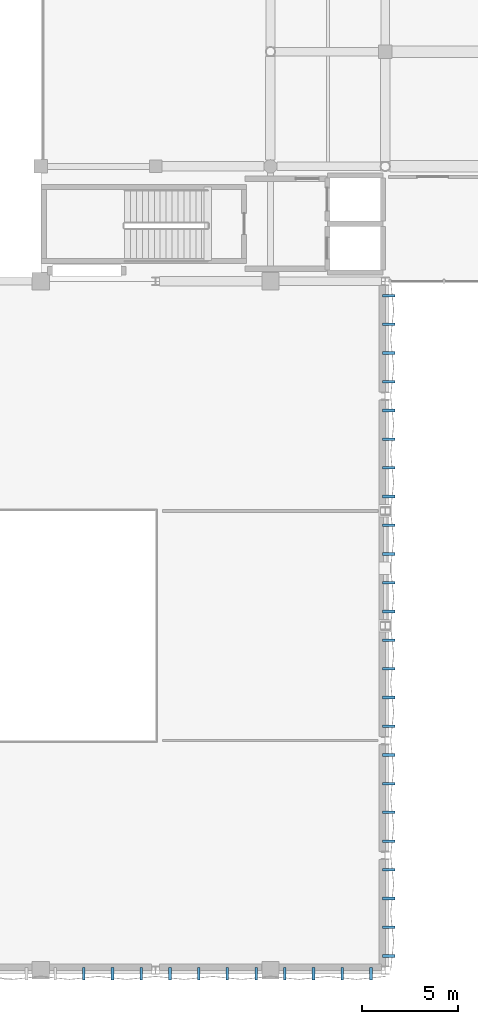
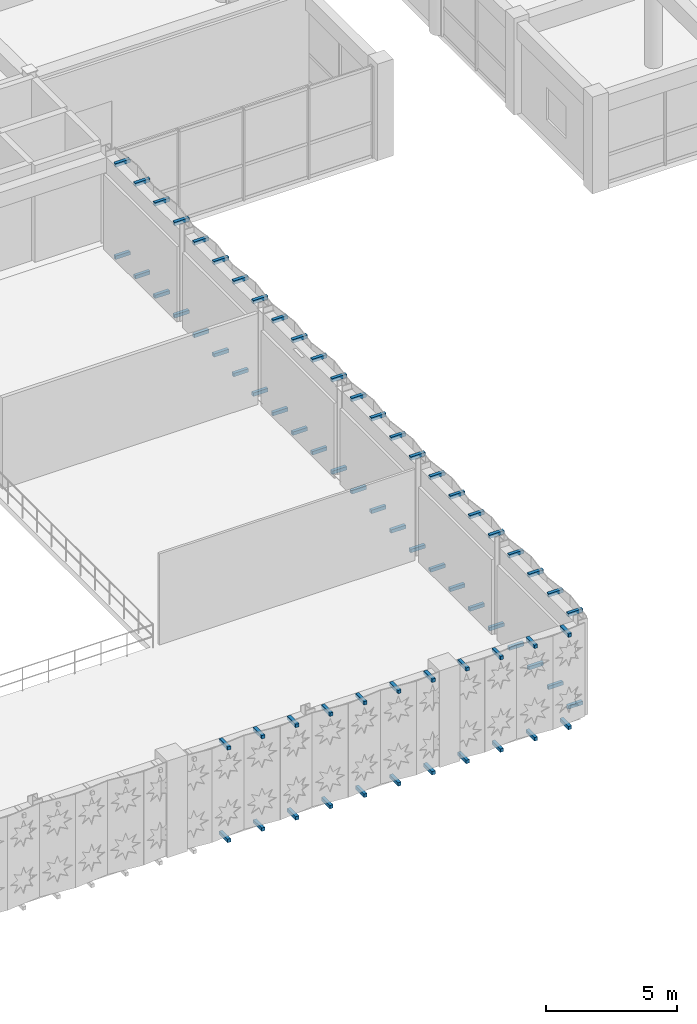
# One storey, part 105 of 116: 70 discrete accessories.
"""IFC4 building model written with IfcOpenShell, lengths in metres."""

from ifc_helpers import new_model, si_unit, direction, frame, origin, origin_2d, place, context, subcontext, project, spatial, rectangle, extrude, material, type_object, element, save


model = new_model("IFC4")

# Units and contexts
model_context = context("Model", 3, precision=1e-05, world=origin(), true_north=direction((0.0, 1.0)))
body_context = subcontext(model_context, "Body", "Model", "MODEL_VIEW")
ifc_project = project(units=[si_unit("LENGTHUNIT", "METRE"), si_unit("AREAUNIT", "SQUARE_METRE"), si_unit("VOLUMEUNIT", "CUBIC_METRE"), si_unit("PLANEANGLEUNIT", "RADIAN"), si_unit("MASSUNIT", "GRAM", prefix="KILO"), si_unit("THERMODYNAMICTEMPERATUREUNIT", "KELVIN"), si_unit("POWERUNIT", "WATT")], contexts=[model_context])

# Site, building, storey
site_placement = place(None, origin())
site = spatial("IfcSite", under=ifc_project, at=site_placement, CompositionType="ELEMENT")
building_placement = place(site_placement, origin())
building = spatial("IfcBuilding", under=site, at=building_placement, Name="Phaisarnlok Congress Hotel", CompositionType="ELEMENT")
storey_placement = place(building_placement, frame((0.0, 0.0, 10.5)))
storey = spatial("IfcBuildingStorey", under=building, at=storey_placement, Name="L02", CompositionType="ELEMENT", Elevation=10.5)

# Discrete accessories
ifc_material = material(Name="Steel S355", Category="steel")
discrete_accessory_type = type_object("IfcDiscreteAccessoryType", Name="ACC-BRK-STL", PredefinedType="BRACKET", material=ifc_material)
for number, where, z_axis, x_axis, name in (
    (1, (128.25, -0.183837890625, -0.18017578125), (0.0, 0.0, 1.0), (1.0, 0.0, 0.0), "Solar screen steel outrigger bracket BK-01"),
    (2, (128.25, -0.183837890625, 4.1201171875), (0.0, 0.0, 1.0), (1.0, 0.0, 0.0), "Solar screen steel outrigger bracket BK-01"),
    (3, (129.75, -0.183837890625, -0.18017578125), (0.0, 0.0, 1.0), (1.0, 0.0, 0.0), "Solar screen steel outrigger bracket BK-01"),
    (4, (129.75, -0.183837890625, 4.1201171875), (0.0, 0.0, 1.0), (1.0, 0.0, 0.0), "Solar screen steel outrigger bracket BK-01"),
    (5, (131.25, -0.183837890625, -0.18017578125), (0.0, 0.0, 1.0), (1.0, 0.0, 0.0), "Solar screen steel outrigger bracket BK-01"),
    (6, (131.25, -0.183837890625, 4.1201171875), (0.0, 0.0, 1.0), (1.0, 0.0, 0.0), "Solar screen steel outrigger bracket BK-01"),
    (7, (132.75, -0.183837890625, -0.18017578125), (0.0, 0.0, 1.0), (1.0, 0.0, 0.0), "Solar screen steel outrigger bracket BK-01"),
    (8, (132.75, -0.183837890625, 4.1201171875), (0.0, 0.0, 1.0), (1.0, 0.0, 0.0), "Solar screen steel outrigger bracket BK-01"),
    (9, (134.25, -0.183837890625, -0.18017578125), (0.0, 0.0, 1.0), (1.0, 0.0, 0.0), "Solar screen steel outrigger bracket BK-01"),
    (10, (134.25, -0.183837890625, 4.1201171875), (0.0, 0.0, 1.0), (1.0, 0.0, 0.0), "Solar screen steel outrigger bracket BK-01"),
    (11, (135.75, -0.183837890625, -0.18017578125), (0.0, 0.0, 1.0), (1.0, 0.0, 0.0), "Solar screen steel outrigger bracket BK-01"),
    (12, (135.75, -0.183837890625, 4.1201171875), (0.0, 0.0, 1.0), (1.0, 0.0, 0.0), "Solar screen steel outrigger bracket BK-01"),
    (13, (137.25, -0.183837890625, -0.18017578125), (0.0, 0.0, 1.0), (1.0, 0.0, 0.0), "Solar screen steel outrigger bracket BK-01"),
    (14, (137.25, -0.183837890625, 4.1201171875), (0.0, 0.0, 1.0), (1.0, 0.0, 0.0), "Solar screen steel outrigger bracket BK-01"),
    (15, (138.75, -0.183837890625, -0.18017578125), (0.0, 0.0, 1.0), (1.0, 0.0, 0.0), "Solar screen steel outrigger bracket BK-01"),
    (16, (138.75, -0.183837890625, 4.1201171875), (0.0, 0.0, 1.0), (1.0, 0.0, 0.0), "Solar screen steel outrigger bracket BK-01"),
    (17, (140.25, -0.183837890625, -0.18017578125), (0.0, 0.0, 1.0), (1.0, 0.0, 0.0), "Solar screen steel outrigger bracket BK-01"),
    (18, (140.25, -0.183837890625, 4.1201171875), (0.0, 0.0, 1.0), (1.0, 0.0, 0.0), "Solar screen steel outrigger bracket BK-01"),
    (19, (141.75, -0.183837890625, -0.18017578125), (0.0, 0.0, 1.0), (1.0, 0.0, 0.0), "Solar screen steel outrigger bracket BK-01"),
    (20, (141.75, -0.183837890625, 4.1201171875), (0.0, 0.0, 1.0), (1.0, 0.0, 0.0), "Solar screen steel outrigger bracket BK-01"),
    (21, (143.25, -0.183837890625, -0.18017578125), (0.0, 0.0, 1.0), (1.0, 0.0, 0.0), "Solar screen steel outrigger bracket BK-01"),
    (22, (143.25, -0.183837890625, 4.1201171875), (0.0, 0.0, 1.0), (1.0, 0.0, 0.0), "Solar screen steel outrigger bracket BK-01"),
):
    element("IfcDiscreteAccessory", number, at=place(storey_placement, frame(where, z_axis=z_axis, x_axis=x_axis)), inside=storey, type_object=discrete_accessory_type, Name=name, PredefinedType="BRACKET", context=body_context, shape_type="SweptSolid", body=[
        extrude(rectangle(XDim=0.139892578125, YDim=0.647705078125, at=origin_2d()), origin(), (0.0, 0.0, 1.0), 0.159912109375),
    ])
for number, where, z_axis, x_axis, name in (
    (23, (144.183837890625, 0.75, -0.18017578125), (0.0, 0.0, 1.0), (1.0, 0.0, 0.0), "Solar screen steel outrigger bracket BK-01"),
    (24, (144.183837890625, 0.75, 4.1201171875), (0.0, 0.0, 1.0), (1.0, 0.0, 0.0), "Solar screen steel outrigger bracket BK-01"),
    (25, (144.183837890625, 2.25, -0.18017578125), (0.0, 0.0, 1.0), (1.0, 0.0, 0.0), "Solar screen steel outrigger bracket BK-01"),
    (26, (144.183837890625, 2.25, 4.1201171875), (0.0, 0.0, 1.0), (1.0, 0.0, 0.0), "Solar screen steel outrigger bracket BK-01"),
    (27, (144.183837890625, 3.75, -0.18017578125), (0.0, 0.0, 1.0), (1.0, 0.0, 0.0), "Solar screen steel outrigger bracket BK-01"),
    (28, (144.183837890625, 3.75, 4.1201171875), (0.0, 0.0, 1.0), (1.0, 0.0, 0.0), "Solar screen steel outrigger bracket BK-01"),
    (29, (144.183837890625, 5.25, -0.18017578125), (0.0, 0.0, 1.0), (1.0, 0.0, 0.0), "Solar screen steel outrigger bracket BK-01"),
    (30, (144.183837890625, 5.25, 4.1201171875), (0.0, 0.0, 1.0), (1.0, 0.0, 0.0), "Solar screen steel outrigger bracket BK-01"),
    (31, (144.183837890625, 6.75, -0.18017578125), (0.0, 0.0, 1.0), (1.0, 0.0, 0.0), "Solar screen steel outrigger bracket BK-01"),
    (32, (144.183837890625, 6.75, 4.1201171875), (0.0, 0.0, 1.0), (1.0, 0.0, 0.0), "Solar screen steel outrigger bracket BK-01"),
    (33, (144.183837890625, 8.25, -0.18017578125), (0.0, 0.0, 1.0), (1.0, 0.0, 0.0), "Solar screen steel outrigger bracket BK-01"),
    (34, (144.183837890625, 8.25, 4.1201171875), (0.0, 0.0, 1.0), (1.0, 0.0, 0.0), "Solar screen steel outrigger bracket BK-01"),
    (35, (144.183837890625, 9.75, -0.18017578125), (0.0, 0.0, 1.0), (1.0, 0.0, 0.0), "Solar screen steel outrigger bracket BK-01"),
    (36, (144.183837890625, 9.75, 4.1201171875), (0.0, 0.0, 1.0), (1.0, 0.0, 0.0), "Solar screen steel outrigger bracket BK-01"),
    (37, (144.183837890625, 11.25, -0.18017578125), (0.0, 0.0, 1.0), (1.0, 0.0, 0.0), "Solar screen steel outrigger bracket BK-01"),
    (38, (144.183837890625, 11.25, 4.1201171875), (0.0, 0.0, 1.0), (1.0, 0.0, 0.0), "Solar screen steel outrigger bracket BK-01"),
    (39, (144.183837890625, 12.75, -0.18017578125), (0.0, 0.0, 1.0), (1.0, 0.0, 0.0), "Solar screen steel outrigger bracket BK-01"),
    (40, (144.183837890625, 12.75, 4.1201171875), (0.0, 0.0, 1.0), (1.0, 0.0, 0.0), "Solar screen steel outrigger bracket BK-01"),
    (41, (144.183837890625, 14.25, -0.18017578125), (0.0, 0.0, 1.0), (1.0, 0.0, 0.0), "Solar screen steel outrigger bracket BK-01"),
    (42, (144.183837890625, 14.25, 4.1201171875), (0.0, 0.0, 1.0), (1.0, 0.0, 0.0), "Solar screen steel outrigger bracket BK-01"),
    (43, (144.183837890625, 15.75, -0.18017578125), (0.0, 0.0, 1.0), (1.0, 0.0, 0.0), "Solar screen steel outrigger bracket BK-01"),
    (44, (144.183837890625, 15.75, 4.1201171875), (0.0, 0.0, 1.0), (1.0, 0.0, 0.0), "Solar screen steel outrigger bracket BK-01"),
    (45, (144.183837890625, 17.25, -0.18017578125), (0.0, 0.0, 1.0), (1.0, 0.0, 0.0), "Solar screen steel outrigger bracket BK-01"),
    (46, (144.183837890625, 17.25, 4.1201171875), (0.0, 0.0, 1.0), (1.0, 0.0, 0.0), "Solar screen steel outrigger bracket BK-01"),
    (47, (144.183837890625, 18.75, -0.18017578125), (0.0, 0.0, 1.0), (1.0, 0.0, 0.0), "Solar screen steel outrigger bracket BK-01"),
    (48, (144.183837890625, 18.75, 4.1201171875), (0.0, 0.0, 1.0), (1.0, 0.0, 0.0), "Solar screen steel outrigger bracket BK-01"),
    (49, (144.183837890625, 20.25, -0.18017578125), (0.0, 0.0, 1.0), (1.0, 0.0, 0.0), "Solar screen steel outrigger bracket BK-01"),
    (50, (144.183837890625, 20.25, 4.1201171875), (0.0, 0.0, 1.0), (1.0, 0.0, 0.0), "Solar screen steel outrigger bracket BK-01"),
    (51, (144.183837890625, 21.75, -0.18017578125), (0.0, 0.0, 1.0), (1.0, 0.0, 0.0), "Solar screen steel outrigger bracket BK-01"),
    (52, (144.183837890625, 21.75, 4.1201171875), (0.0, 0.0, 1.0), (1.0, 0.0, 0.0), "Solar screen steel outrigger bracket BK-01"),
    (53, (144.183837890625, 23.25, -0.18017578125), (0.0, 0.0, 1.0), (1.0, 0.0, 0.0), "Solar screen steel outrigger bracket BK-01"),
    (54, (144.183837890625, 23.25, 4.1201171875), (0.0, 0.0, 1.0), (1.0, 0.0, 0.0), "Solar screen steel outrigger bracket BK-01"),
    (55, (144.183837890625, 24.75, -0.18017578125), (0.0, 0.0, 1.0), (1.0, 0.0, 0.0), "Solar screen steel outrigger bracket BK-01"),
    (56, (144.183837890625, 24.75, 4.1201171875), (0.0, 0.0, 1.0), (1.0, 0.0, 0.0), "Solar screen steel outrigger bracket BK-01"),
    (57, (144.183837890625, 26.25, -0.18017578125), (0.0, 0.0, 1.0), (1.0, 0.0, 0.0), "Solar screen steel outrigger bracket BK-01"),
    (58, (144.183837890625, 26.25, 4.1201171875), (0.0, 0.0, 1.0), (1.0, 0.0, 0.0), "Solar screen steel outrigger bracket BK-01"),
    (59, (144.183837890625, 27.75, -0.18017578125), (0.0, 0.0, 1.0), (1.0, 0.0, 0.0), "Solar screen steel outrigger bracket BK-01"),
    (60, (144.183837890625, 27.75, 4.1201171875), (0.0, 0.0, 1.0), (1.0, 0.0, 0.0), "Solar screen steel outrigger bracket BK-01"),
    (61, (144.183837890625, 29.25, -0.18017578125), (0.0, 0.0, 1.0), (1.0, 0.0, 0.0), "Solar screen steel outrigger bracket BK-01"),
    (62, (144.183837890625, 29.25, 4.1201171875), (0.0, 0.0, 1.0), (1.0, 0.0, 0.0), "Solar screen steel outrigger bracket BK-01"),
    (63, (144.183837890625, 30.75, -0.18017578125), (0.0, 0.0, 1.0), (1.0, 0.0, 0.0), "Solar screen steel outrigger bracket BK-01"),
    (64, (144.183837890625, 30.75, 4.1201171875), (0.0, 0.0, 1.0), (1.0, 0.0, 0.0), "Solar screen steel outrigger bracket BK-01"),
    (65, (144.183837890625, 32.25, -0.18017578125), (0.0, 0.0, 1.0), (1.0, 0.0, 0.0), "Solar screen steel outrigger bracket BK-01"),
    (66, (144.183837890625, 32.25, 4.1201171875), (0.0, 0.0, 1.0), (1.0, 0.0, 0.0), "Solar screen steel outrigger bracket BK-01"),
    (67, (144.183837890625, 33.75, -0.18017578125), (0.0, 0.0, 1.0), (1.0, 0.0, 0.0), "Solar screen steel outrigger bracket BK-01"),
    (68, (144.183837890625, 33.75, 4.1201171875), (0.0, 0.0, 1.0), (1.0, 0.0, 0.0), "Solar screen steel outrigger bracket BK-01"),
    (69, (144.183837890625, 35.25, -0.18017578125), (0.0, 0.0, 1.0), (1.0, 0.0, 0.0), "Solar screen steel outrigger bracket BK-01"),
    (70, (144.183837890625, 35.25, 4.1201171875), (0.0, 0.0, 1.0), (1.0, 0.0, 0.0), "Solar screen steel outrigger bracket BK-01"),
):
    element("IfcDiscreteAccessory", number, at=place(storey_placement, frame(where, z_axis=z_axis, x_axis=x_axis)), inside=storey, type_object=discrete_accessory_type, Name=name, PredefinedType="BRACKET", context=body_context, shape_type="SweptSolid", body=[
        extrude(rectangle(XDim=0.647705078125, YDim=0.139892578125, at=origin_2d()), origin(), (0.0, 0.0, 1.0), 0.159912109375),
    ])

save(model, "model.ifc")
